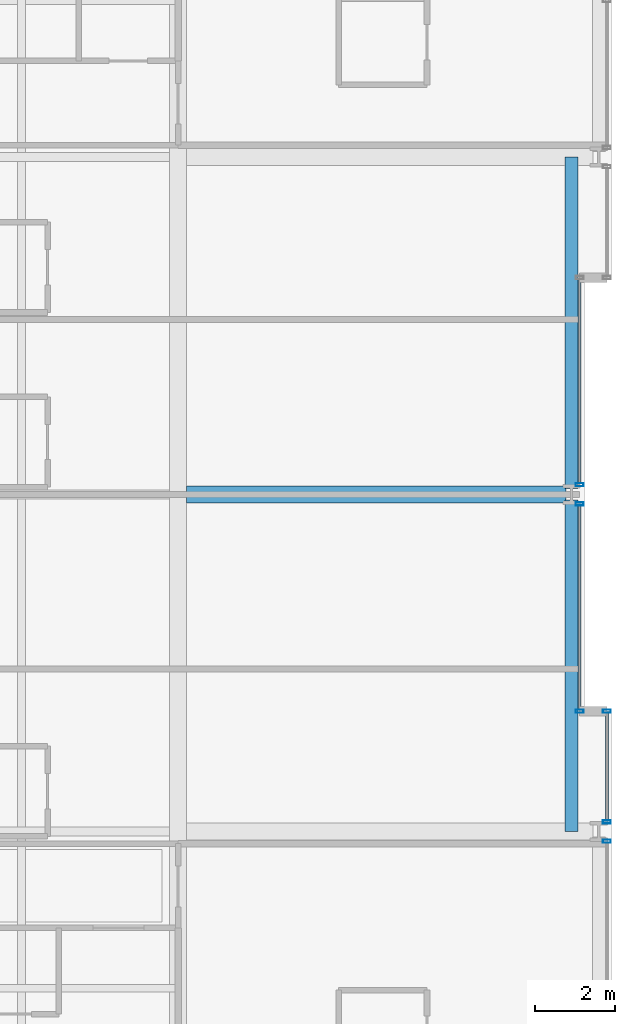
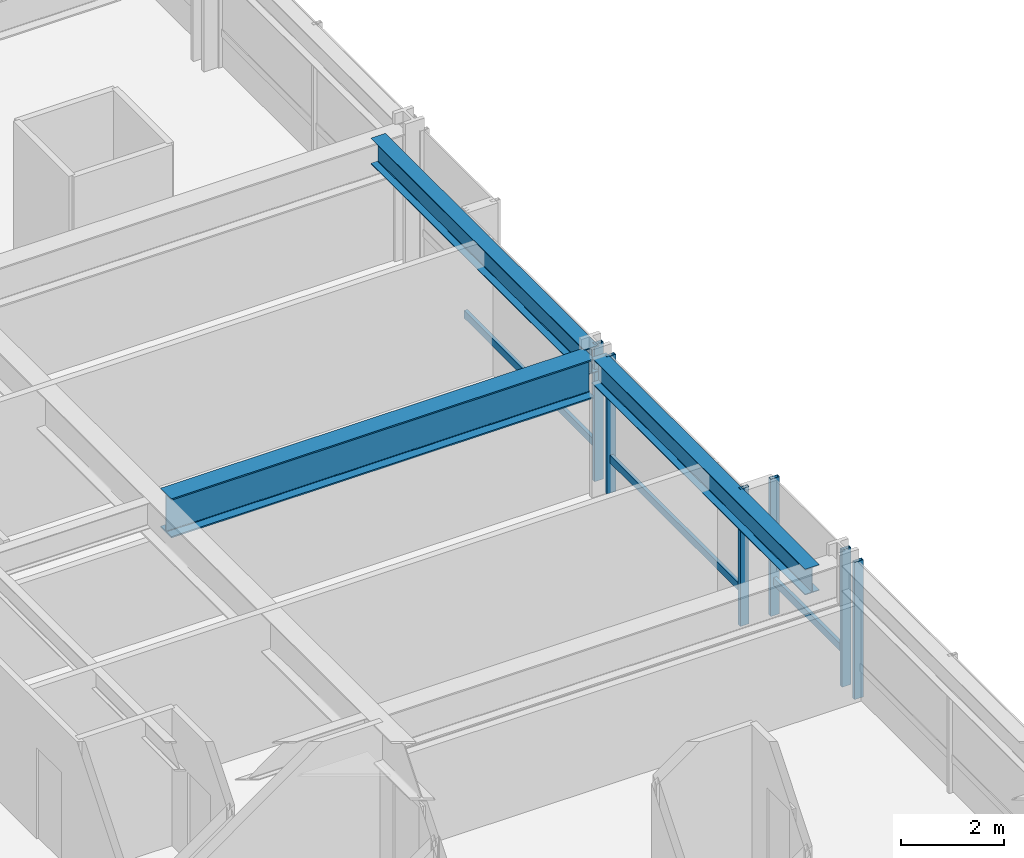
# One storey, part 16 of 39: 9 members, 3 beams, 4 elements without a shape of their own.
"""IFC4 building model written with IfcOpenShell, lengths in metres."""

from ifc_helpers import new_model, si_unit, direction, frame, origin, origin_2d, place, context, subcontext, project, spatial, hollow_rectangle, i_section, extrude, material, layer, layer_set, material_profile, profile_set, type_object, element, aggregate, save


model = new_model("IFC4")

# Units and contexts
model_context = context("Model", 3, precision=1e-05, world=origin(), true_north=direction((0.0, 1.0)))
body_context = subcontext(model_context, "Body", "Model", "MODEL_VIEW")
ifc_project = project(units=[si_unit("LENGTHUNIT", "METRE"), si_unit("AREAUNIT", "SQUARE_METRE"), si_unit("VOLUMEUNIT", "CUBIC_METRE"), si_unit("PLANEANGLEUNIT", "RADIAN"), si_unit("MASSUNIT", "GRAM", prefix="KILO")], contexts=[model_context])

# Site, building, storey
site_placement = place(None, origin())
site = spatial("IfcSite", under=ifc_project, at=site_placement, CompositionType="ELEMENT")
building_placement = place(site_placement, origin())
building = spatial("IfcBuilding", under=site, at=building_placement, Name="Drelvath Grand Hotel", CompositionType="ELEMENT")
storey_placement = place(building_placement, frame((0.0, 0.0, 40.199951171875)))
storey = spatial("IfcBuildingStorey", under=building, at=storey_placement, Name="L08", CompositionType="ELEMENT", Elevation=40.199951171875)

# Curtain wall, member
ifc_material_1 = material(Name="Warm Bronze Anodised Aluminium Frame", Category="aluminium")
ifc_layer = layer(ifc_material_1, 0.199951171875)
ifc_layer_set = layer_set([ifc_layer], Name="Warm Bronze Anodised Aluminium Frame")
curtain_wall_type = type_object("IfcCurtainWallType", Name="Stick Curtain Wall CW-02 Warm Bronze Low-Rise", PredefinedType="NOTDEFINED", material=ifc_layer_set)
curtain_wall_1_placement = place(storey_placement, origin())
curtain_wall_1 = element("IfcCurtainWall", 1, at=curtain_wall_1_placement, inside=storey, type_object=curtain_wall_type, Name="L08 CW-02 Curtain Wall CW02-L08-EM1", PredefinedType="NOTDEFINED")
ifc_material_profile_1 = material_profile(ifc_material_1, hollow_rectangle(XDim=0.074951171875, YDim=0.179931640625, WallThickness=0.0048828125, at=origin_2d()), Name="HSS180X75X5")
ifc_profile_set_1 = profile_set([ifc_material_profile_1], Name="Warm Bronze Anodised Aluminium Frame")
member_type_1 = type_object("IfcMemberType", Name="Curtain Wall Horizontal Transom CW-02 HSS180X75X5", PredefinedType="USERDEFINED", material=ifc_profile_set_1)
member_1_placement = place(storey_placement, frame((26.199951171875, 26.718994140625, 0.81005859375), z_axis=(0.0, -1.0, 0.0), x_axis=(1.0, 0.0, 0.0)))
member_1 = element("IfcMember", 2, at=member_1_placement, type_object=member_type_1, Name="CW02-L08-EM1 Sill Transom", ObjectType="TRANSOM", PredefinedType="USERDEFINED", context=body_context, shape_type="SweptSolid", body=[
    extrude(hollow_rectangle(XDim=0.074951171875, YDim=0.179931640625, WallThickness=0.0048828125, at=origin_2d()), origin(), (0.0, 0.0, 1.0), 5.0791015625),
])

curtain_wall_2_placement = place(storey_placement, origin())
curtain_wall_2 = element("IfcCurtainWall", 3, at=curtain_wall_2_placement, inside=storey, type_object=curtain_wall_type, Name="L08 CW-02 Curtain Wall CW02-L08-EM2", PredefinedType="NOTDEFINED")
member_2_placement = place(storey_placement, frame((26.199951171875, 32.360107421875, 0.81005859375), z_axis=(0.0, -1.0, 0.0), x_axis=(1.0, 0.0, 0.0)))
member_2 = element("IfcMember", 4, at=member_2_placement, type_object=member_type_1, Name="CW02-L08-EM2 Sill Transom", ObjectType="TRANSOM", PredefinedType="USERDEFINED", context=body_context, shape_type="SweptSolid", body=[
    extrude(hollow_rectangle(XDim=0.074951171875, YDim=0.179931640625, WallThickness=0.0048828125, at=origin_2d()), origin(), (0.0, 0.0, 1.0), 5.0791015625),
])

curtain_wall_3_placement = place(storey_placement, origin())
curtain_wall_3 = element("IfcCurtainWall", 5, at=curtain_wall_3_placement, inside=storey, type_object=curtain_wall_type, Name="L08 CW-02 Curtain Wall CW02-L08-ES3", PredefinedType="NOTDEFINED")
member_3_placement = place(storey_placement, frame((26.8798828125, 21.56005859375, 0.81005859375), z_axis=(0.0, -1.0, 0.0), x_axis=(1.0, 0.0, 0.0)))
member_3 = element("IfcMember", 6, at=member_3_placement, type_object=member_type_1, Name="CW02-L08-ES3 Sill Transom", ObjectType="TRANSOM", PredefinedType="USERDEFINED", context=body_context, shape_type="SweptSolid", body=[
    extrude(hollow_rectangle(XDim=0.074951171875, YDim=0.179931640625, WallThickness=0.0048828125, at=origin_2d()), origin(), (0.0, 0.0, 1.0), 2.67919921875),
])

# Member
ifc_material_profile_2 = material_profile(ifc_material_1, hollow_rectangle(XDim=0.080078125, YDim=0.199951171875, WallThickness=0.0048828125, at=origin_2d()), Name="HSS200X80X5")
ifc_profile_set_2 = profile_set([ifc_material_profile_2], Name="Warm Bronze Anodised Aluminium Frame")
member_type_2 = type_object("IfcMemberType", Name="Curtain Wall Vertical Mullion CW-02 HSS200X80X5", PredefinedType="MULLION", material=ifc_profile_set_2)
member_4_placement = place(storey_placement, frame((26.199951171875, 26.759033203125, 0.0), z_axis=(0.0, 0.0, 1.0), x_axis=(0.0, 1.0, 0.0)))
member_4 = element("IfcMember", 7, at=member_4_placement, type_object=member_type_2, Name="CW02-L08-EM1 Mullion 1", PredefinedType="MULLION", context=body_context, shape_type="SweptSolid", body=[
    extrude(hollow_rectangle(XDim=0.080078125, YDim=0.199951171875, WallThickness=0.0048828125, at=origin_2d()), origin(), (0.0, 0.0, 1.0), 3.239990234375),
])

member_5_placement = place(storey_placement, frame((26.199951171875, 21.60009765625, 0.0), z_axis=(0.0, 0.0, 1.0), x_axis=(0.0, 1.0, 0.0)))
member_5 = element("IfcMember", 8, at=member_5_placement, type_object=member_type_2, Name="CW02-L08-EM1 Mullion 2", PredefinedType="MULLION", context=body_context, shape_type="SweptSolid", body=[
    extrude(hollow_rectangle(XDim=0.080078125, YDim=0.199951171875, WallThickness=0.0048828125, at=origin_2d()), origin(), (0.0, 0.0, 1.0), 3.239990234375),
])

aggregate(curtain_wall_1, [member_4, member_5, member_1])

member_6_placement = place(storey_placement, frame((26.199951171875, 27.240966796875, 0.0), z_axis=(0.0, 0.0, 1.0), x_axis=(0.0, 1.0, 0.0)))
member_6 = element("IfcMember", 9, at=member_6_placement, type_object=member_type_2, Name="CW02-L08-EM2 Mullion 2", PredefinedType="MULLION", context=body_context, shape_type="SweptSolid", body=[
    extrude(hollow_rectangle(XDim=0.080078125, YDim=0.199951171875, WallThickness=0.0048828125, at=origin_2d()), origin(), (0.0, 0.0, 1.0), 3.239990234375),
])

aggregate(curtain_wall_2, [member_6, member_2])

# Curtain wall, member
curtain_wall_4_placement = place(storey_placement, origin())
curtain_wall_4 = element("IfcCurtainWall", 10, at=curtain_wall_4_placement, inside=storey, type_object=curtain_wall_type, Name="L08 CW-02 Curtain Wall CW02-L08-ES2", PredefinedType="NOTDEFINED")
member_7_placement = place(storey_placement, frame((26.8798828125, 18.359130859375, 0.0), z_axis=(0.0, 0.0, 1.0), x_axis=(0.0, 1.0, 0.0)))
member_7 = element("IfcMember", 11, at=member_7_placement, type_object=member_type_2, Name="CW02-L08-ES2 Mullion 1", PredefinedType="MULLION", context=body_context, shape_type="SweptSolid", body=[
    extrude(hollow_rectangle(XDim=0.080078125, YDim=0.199951171875, WallThickness=0.0048828125, at=origin_2d()), origin(), (0.0, 0.0, 1.0), 3.239990234375),
])
aggregate(curtain_wall_4, [member_7])

# Member
member_8_placement = place(storey_placement, frame((26.8798828125, 21.60009765625, 0.0), z_axis=(0.0, 0.0, 1.0), x_axis=(0.0, 1.0, 0.0)))
member_8 = element("IfcMember", 12, at=member_8_placement, type_object=member_type_2, Name="CW02-L08-ES3 Mullion 1", PredefinedType="MULLION", context=body_context, shape_type="SweptSolid", body=[
    extrude(hollow_rectangle(XDim=0.080078125, YDim=0.199951171875, WallThickness=0.0048828125, at=origin_2d()), origin(), (0.0, 0.0, 1.0), 3.239990234375),
])

member_9_placement = place(storey_placement, frame((26.8798828125, 18.8408203125, 0.0), z_axis=(0.0, 0.0, 1.0), x_axis=(0.0, 1.0, 0.0)))
member_9 = element("IfcMember", 13, at=member_9_placement, type_object=member_type_2, Name="CW02-L08-ES3 Mullion 2", PredefinedType="MULLION", context=body_context, shape_type="SweptSolid", body=[
    extrude(hollow_rectangle(XDim=0.080078125, YDim=0.199951171875, WallThickness=0.0048828125, at=origin_2d()), origin(), (0.0, 0.0, 1.0), 3.239990234375),
])

aggregate(curtain_wall_3, [member_8, member_9, member_3])

# Beams
ifc_material_2 = material(Name="Steel ASTM A992 Gr 50", Category="steel")
ifc_material_profile_3 = material_profile(ifc_material_2, i_section(OverallWidth=0.323974609375, OverallDepth=0.611083984375, WebThickness=0.0126953125, FlangeThickness=0.01904296875, FilletRadius=0.02197265625, at=origin_2d()), Name="W24X104")
ifc_profile_set_3 = profile_set([ifc_material_profile_3], Name="Steel ASTM A992 Gr 50")
beam_type_1 = type_object("IfcBeamType", Name="Perimeter Spandrel Beam W24X104", PredefinedType="SPANDREL", material=ifc_profile_set_3)
for number, where, z_axis, x_axis, name in (
    (14, (26.0, 18.60009765625, 2.9345703125), (0.0, 1.0, 0.0), (-1.0, 0.0, 0.0), "L08 Spandrel East Mid S"),
    (15, (26.0, 27.139892578125, 2.9345703125), (0.0, 1.0, 0.0), (-1.0, 0.0, 0.0), "L08 Spandrel East Mid N"),
):
    element("IfcBeam", number, at=place(storey_placement, frame(where, z_axis=z_axis, x_axis=x_axis)), inside=storey, type_object=beam_type_1, Name=name, PredefinedType="SPANDREL", context=body_context, shape_type="SweptSolid", body=[
        extrude(i_section(OverallWidth=0.323974609375, OverallDepth=0.611083984375, WebThickness=0.0126953125, FlangeThickness=0.01904296875, FilletRadius=0.02197265625, at=origin_2d()), origin(), (0.0, 0.0, 1.0), 8.260009765625),
    ])
ifc_material_profile_4 = material_profile(ifc_material_2, i_section(OverallWidth=0.418212890625, OverallDepth=0.926513671875, WebThickness=0.019287109375, FlangeThickness=0.031982421875, FilletRadius=0.028076171875, at=origin_2d()), Name="W36X231")
ifc_profile_set_4 = profile_set([ifc_material_profile_4], Name="Steel ASTM A992 Gr 50")
beam_type_2 = type_object("IfcBeamType", Name="Primary Floor Girder W36X231", PredefinedType="BEAM", material=ifc_profile_set_4)
beam_placement = place(storey_placement, frame((16.4091796875, 27.0, 2.77685546875), z_axis=(1.0, 0.0, 0.0), x_axis=(0.0, 1.0, 0.0)))
element("IfcBeam", 16, at=beam_placement, inside=storey, type_object=beam_type_2, Name="L08 East Wing Girder E", PredefinedType="BEAM", context=body_context, shape_type="SweptSolid", body=[
    extrude(i_section(OverallWidth=0.418212890625, OverallDepth=0.926513671875, WebThickness=0.019287109375, FlangeThickness=0.031982421875, FilletRadius=0.028076171875, at=origin_2d()), origin(), (0.0, 0.0, 1.0), 9.450927734375),
])

save(model, "model.ifc")
